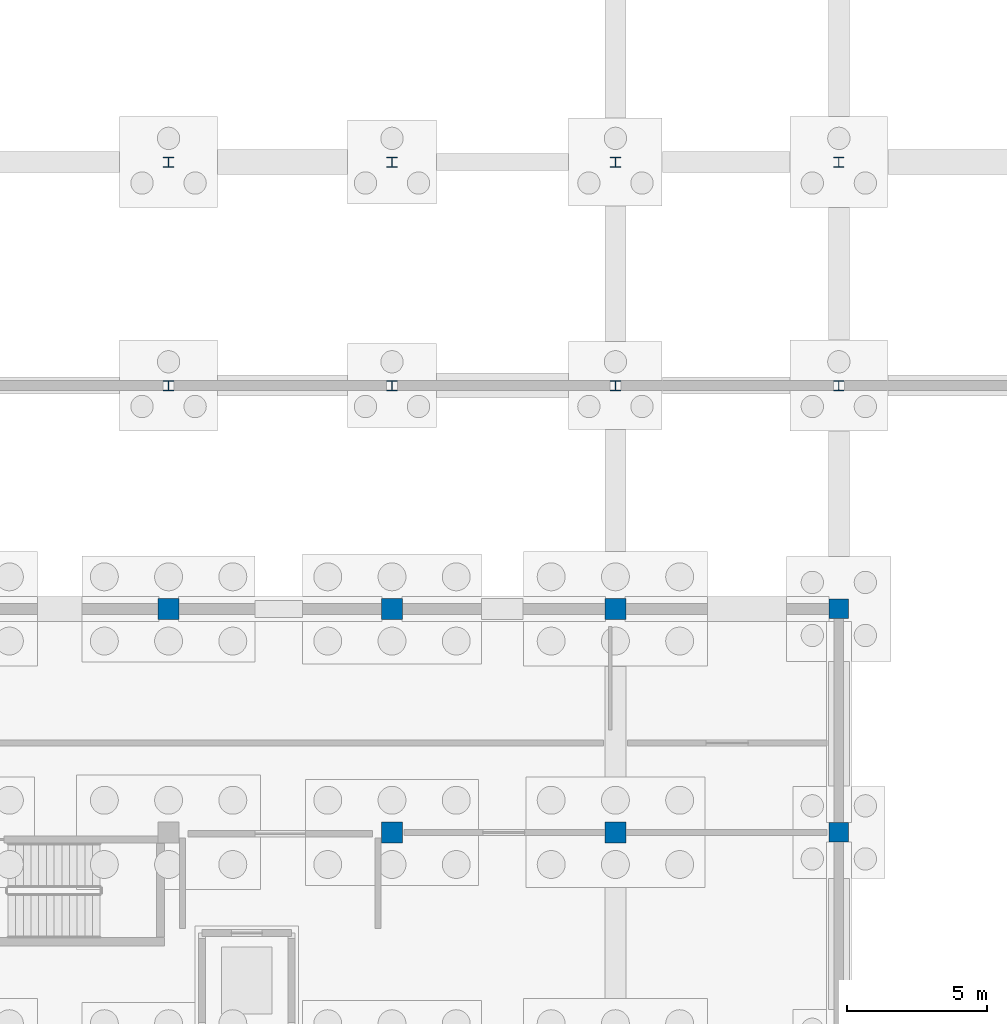
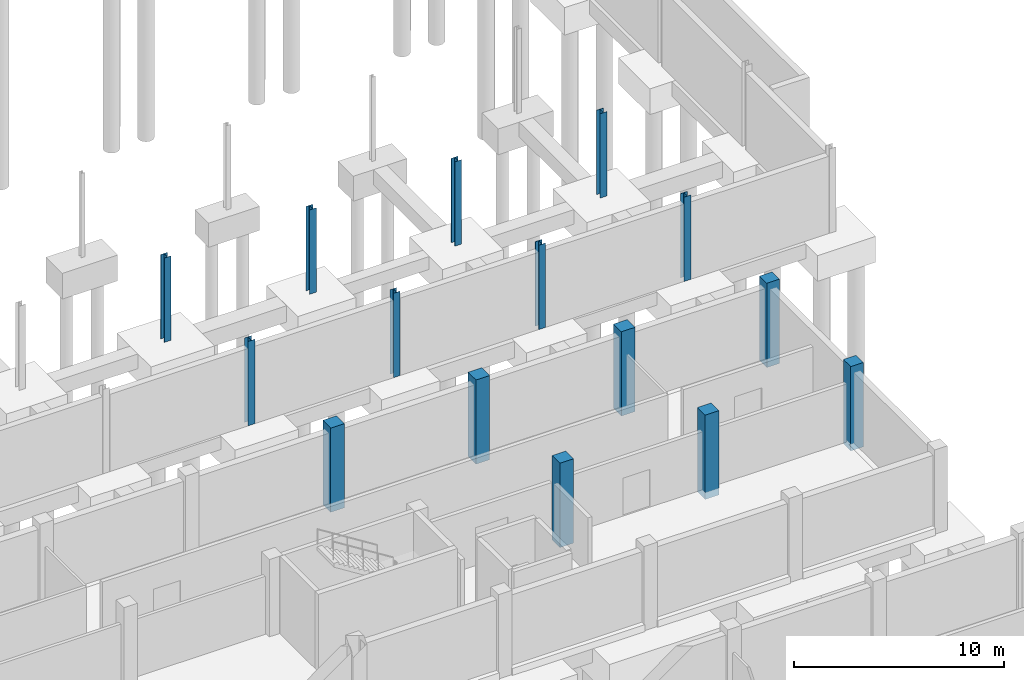
# One storey, part 30 of 51: 15 columns.
"""IFC4 building model written with IfcOpenShell, lengths in metres."""

from ifc_helpers import new_model, si_unit, direction, frame, origin, origin_2d, place, context, subcontext, project, spatial, rectangle, i_section, extrude, material, material_profile, profile_set, type_object, element, save


model = new_model("IFC4")

# Units and contexts
model_context = context("Model", 3, precision=1e-05, world=origin(), true_north=direction((0.0, 1.0)))
body_context = subcontext(model_context, "Body", "Model", "MODEL_VIEW")
ifc_project = project(units=[si_unit("LENGTHUNIT", "METRE"), si_unit("AREAUNIT", "SQUARE_METRE"), si_unit("VOLUMEUNIT", "CUBIC_METRE"), si_unit("PLANEANGLEUNIT", "RADIAN"), si_unit("MASSUNIT", "GRAM", prefix="KILO")], contexts=[model_context])

# Site, building, storey
site_placement = place(None, origin())
site = spatial("IfcSite", under=ifc_project, at=site_placement, CompositionType="ELEMENT")
building_placement = place(site_placement, origin())
building = spatial("IfcBuilding", under=site, at=building_placement, Name="Jelvoka-Kovrelna Polytechnic", CompositionType="ELEMENT")
storey_placement = place(building_placement, frame((0.0, 0.0, -4.5)))
storey = spatial("IfcBuildingStorey", under=building, at=storey_placement, Name="B01", CompositionType="ELEMENT", Elevation=-4.5)

# Columns
ifc_material_1 = material(Name="Concrete C40/50", Category="concrete")
ifc_material_profile_1 = material_profile(ifc_material_1, rectangle(XDim=0.699951171875, YDim=0.699951171875, at=origin_2d()), Name="RC 700x700")
ifc_profile_set_1 = profile_set([ifc_material_profile_1], Name="Concrete C40/50")
column_type_1 = type_object("IfcColumnType", Name="Col_RC_700", PredefinedType="COLUMN", material=ifc_profile_set_1)
for number, where, z_axis, x_axis, name in (
    (1, (192.0, 64.0, -0.405029296875), (0.0, 0.0, 1.0), (1.0, 0.0, 0.0), "B01 column 1294"),
    (2, (192.0, 72.0, -0.405029296875), (0.0, 0.0, 1.0), (1.0, 0.0, 0.0), "B01 column 1455"),
):
    element("IfcColumn", number, at=place(storey_placement, frame(where, z_axis=z_axis, x_axis=x_axis)), inside=storey, type_object=column_type_1, Name=name, PredefinedType="COLUMN", context=body_context, shape_type="SweptSolid", body=[
        extrude(rectangle(XDim=0.699951171875, YDim=0.699951171875, at=origin_2d()), origin(), (0.0, 0.0, 1.0), 4.905029296875),
    ])
ifc_material_2 = material(Name="Concrete C40/50", Category="concrete")
ifc_material_profile_2 = material_profile(ifc_material_2, rectangle(XDim=0.75, YDim=0.75, at=origin_2d()), Name="RC 750x750")
ifc_profile_set_2 = profile_set([ifc_material_profile_2], Name="Concrete C40/50")
column_type_2 = type_object("IfcColumnType", Name="Col_RC_750", PredefinedType="COLUMN", material=ifc_profile_set_2)
for number, where, z_axis, x_axis, name in (
    (3, (176.0, 64.0, -0.405029296875), (0.0, 0.0, 1.0), (1.0, 0.0, 0.0), "B01 column 1276"),
    (4, (184.0, 64.0, -0.405029296875), (0.0, 0.0, 1.0), (1.0, 0.0, 0.0), "B01 column 1285"),
    (5, (168.0, 72.0, -0.405029296875), (0.0, 0.0, 1.0), (1.0, 0.0, 0.0), "B01 column 1428"),
    (6, (176.0, 72.0, -0.405029296875), (0.0, 0.0, 1.0), (1.0, 0.0, 0.0), "B01 column 1437"),
    (7, (184.0, 72.0, -0.405029296875), (0.0, 0.0, 1.0), (1.0, 0.0, 0.0), "B01 column 1446"),
):
    element("IfcColumn", number, at=place(storey_placement, frame(where, z_axis=z_axis, x_axis=x_axis)), inside=storey, type_object=column_type_2, Name=name, PredefinedType="COLUMN", context=body_context, shape_type="SweptSolid", body=[
        extrude(rectangle(XDim=0.75, YDim=0.75, at=origin_2d()), origin(), (0.0, 0.0, 1.0), 4.905029296875),
    ])
ifc_material_3 = material(Name="Structural steel S355JR", Category="steel")
ifc_material_profile_3 = material_profile(ifc_material_3, i_section(OverallWidth=0.36865234375, OverallDepth=0.355712890625, WebThickness=0.010498046875, FlangeThickness=0.017578125, FilletRadius=0.01513671875, at=origin_2d()), Name="356x368x129 UC")
ifc_profile_set_3 = profile_set([ifc_material_profile_3], Name="Structural steel S355JR")
column_type_3 = type_object("IfcColumnType", Name="Col_Steel_UC356", PredefinedType="COLUMN", material=ifc_profile_set_3)
for number, where, z_axis, x_axis, name in (
    (8, (168.0, 80.0, -0.405029296875), (0.0, 0.0, 1.0), (1.0, 0.0, 0.0), "B01 column 1506"),
    (9, (176.0, 80.0, -0.405029296875), (0.0, 0.0, 1.0), (1.0, 0.0, 0.0), "B01 column 1509"),
    (10, (184.0, 80.0, -0.405029296875), (0.0, 0.0, 1.0), (1.0, 0.0, 0.0), "B01 column 1512"),
    (11, (192.0, 80.0, -0.405029296875), (0.0, 0.0, 1.0), (1.0, 0.0, 0.0), "B01 column 1515"),
    (12, (168.0, 88.0, -0.405029296875), (0.0, 0.0, 1.0), (1.0, 0.0, 0.0), "B01 column 1561"),
    (13, (176.0, 88.0, -0.405029296875), (0.0, 0.0, 1.0), (1.0, 0.0, 0.0), "B01 column 1564"),
    (14, (184.0, 88.0, -0.405029296875), (0.0, 0.0, 1.0), (1.0, 0.0, 0.0), "B01 column 1567"),
    (15, (192.0, 88.0, -0.405029296875), (0.0, 0.0, 1.0), (1.0, 0.0, 0.0), "B01 column 1570"),
):
    element("IfcColumn", number, at=place(storey_placement, frame(where, z_axis=z_axis, x_axis=x_axis)), inside=storey, type_object=column_type_3, Name=name, PredefinedType="COLUMN", context=body_context, shape_type="SweptSolid", body=[
        extrude(i_section(OverallWidth=0.36865234375, OverallDepth=0.355712890625, WebThickness=0.010498046875, FlangeThickness=0.017578125, FilletRadius=0.01513671875, at=origin_2d()), origin(), (0.0, 0.0, 1.0), 4.905029296875),
    ])

save(model, "model.ifc")
